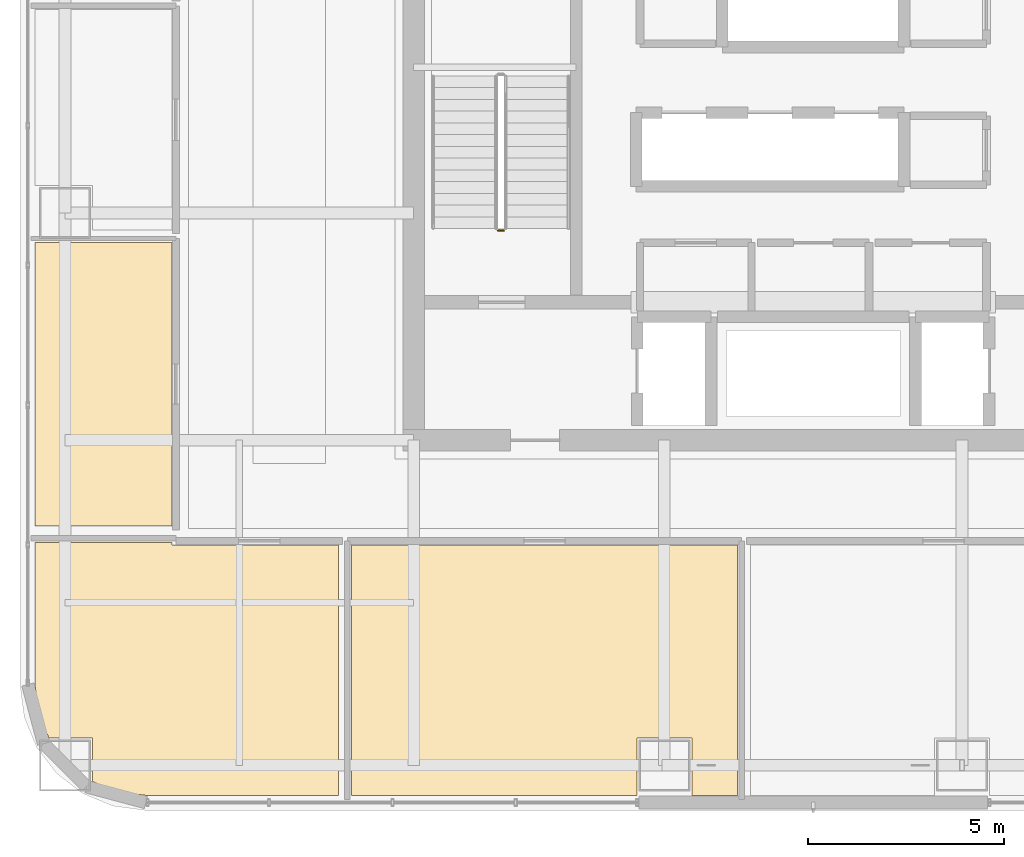
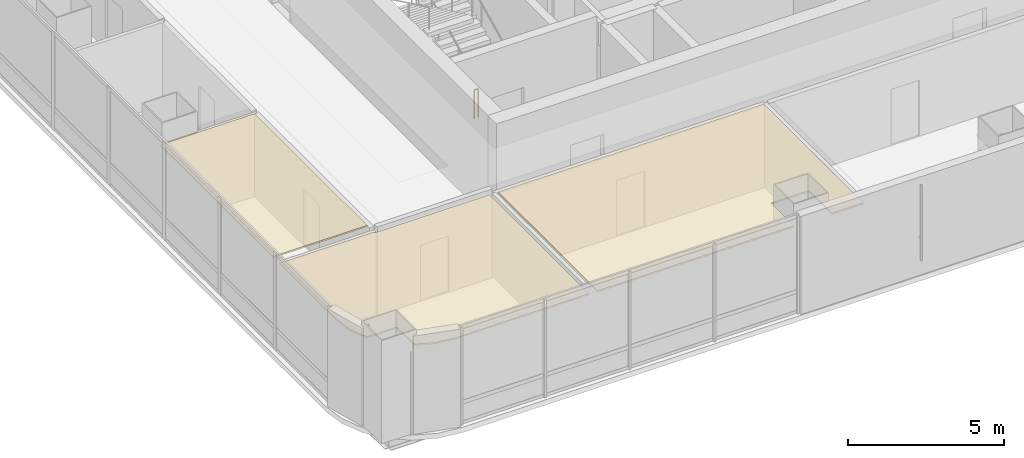
# One storey, part 36 of 44: 3 coverings, 1 railing.
"""IFC4 building model written with IfcOpenShell, lengths in metres."""

import ifcopenshell
import ifcopenshell.guid

model = None  # the IFC model being written
_history = None  # IfcOwnerHistory: only IFC2X3 demands one
_inside = {}  # id of a spatial element -> (the spatial element, [elements in it])
_under = {}  # id of a project, library or spatial element -> (it, [spatial elements below it])
_declared = {}  # id of a project -> (the project, [libraries it declares])
_typed = {}  # id of a type object -> (the type object, [elements of that type])
_made_of = {}  # id of a material, layer set ... -> (it, [elements and type objects made of it])


def new_model(schema):
    """Start an empty IFC model of exactly this schema.

    Asked for "IFC4X3", IfcOpenShell would pick the latest addendum, in which some entities
    have other attributes; the version numbers below select the first issue.
    IFC2X3 requires an IfcOwnerHistory on every rooted entity: one is made here for all.
    """
    global model, _history
    if schema == "IFC4X3":
        model = ifcopenshell.file(schema_version=(4, 3, 0, 0))
    else:
        model = ifcopenshell.file(schema=schema)
    _inside.clear()
    _under.clear()
    _declared.clear()
    _typed.clear()
    _made_of.clear()
    _history = None
    if model.schema == "IFC2X3":
        org = make("IfcOrganization", Name="unknown")
        user = make(
            "IfcPersonAndOrganization",
            ThePerson=make("IfcPerson", FamilyName="unknown"),
            TheOrganization=org,
        )
        app = make(
            "IfcApplication",
            ApplicationDeveloper=org,
            Version="unknown",
            ApplicationFullName="unknown",
            ApplicationIdentifier="unknown",
        )
        _history = make(
            "IfcOwnerHistory",
            OwningUser=user,
            OwningApplication=app,
            ChangeAction="ADDED",
            CreationDate=0,
        )
    return model


def make(cls, **values):
    """One entity of the class cls with the attributes given. An attribute that is None is left unset."""
    return model.create_entity(
        cls, **{name: value for name, value in values.items() if value is not None}
    )


def rooted(cls, **values):
    """An entity with a GlobalId (a new one), such as an element, a storey or a relation."""
    return make(cls, GlobalId=ifcopenshell.guid.new(), OwnerHistory=_history, **values)


def si_unit(unit_type, name, prefix=None):
    """IfcSIUnit, for example si_unit("LENGTHUNIT", "METRE", prefix="MILLI")."""
    return make("IfcSIUnit", UnitType=unit_type, Prefix=prefix, Name=name)


def assignment(units):
    """IfcUnitAssignment: the units of a project."""
    return None if units is None else make("IfcUnitAssignment", Units=units)


def point(xyz):
    """IfcCartesianPoint."""
    return None if xyz is None else make("IfcCartesianPoint", Coordinates=xyz)


def direction(xyz):
    """IfcDirection."""
    return None if xyz is None else make("IfcDirection", DirectionRatios=xyz)


def frame(location, z_axis=None, x_axis=None):
    """IfcAxis2Placement3D, a coordinate frame: its origin and axes. An axis left out is left unset."""
    return make(
        "IfcAxis2Placement3D",
        Location=point(location),
        Axis=direction(z_axis),
        RefDirection=direction(x_axis),
    )


def frame_2d(location, x_axis=None):
    """IfcAxis2Placement2D, a coordinate frame in the plane: its origin and x axis."""
    return make(
        "IfcAxis2Placement2D", Location=point(location), RefDirection=direction(x_axis)
    )


def origin():
    """The frame at (0, 0, 0) with its axes left unset."""
    return frame((0.0, 0.0, 0.0))


def origin_2d():
    """The frame at (0, 0) in the plane with its x axis left unset."""
    return frame_2d((0.0, 0.0))


def place(relative_to, where):
    """IfcLocalPlacement: puts the frame where relative to a parent placement (None: the world)."""
    return make(
        "IfcLocalPlacement", PlacementRelTo=relative_to, RelativePlacement=where
    )


def context(
    kind, dimensions, precision=None, world=None, true_north=None, identifier=None
):
    """IfcGeometricRepresentationContext, for example the 3D "Model" context."""
    return make(
        "IfcGeometricRepresentationContext",
        ContextIdentifier=identifier,
        ContextType=kind,
        CoordinateSpaceDimension=dimensions,
        Precision=precision,
        WorldCoordinateSystem=world,
        TrueNorth=true_north,
    )


def subcontext(parent, identifier, kind, view, scale=None):
    """IfcGeometricRepresentationSubContext, for example "Body" below "Model"."""
    return make(
        "IfcGeometricRepresentationSubContext",
        ContextIdentifier=identifier,
        ContextType=kind,
        ParentContext=parent,
        TargetScale=scale,
        TargetView=view,
    )


def project(units=None, contexts=None):
    """IfcProject with its units and contexts."""
    return rooted(
        "IfcProject",
        Name="project",
        RepresentationContexts=contexts,
        UnitsInContext=assignment(units),
    )


def spatial(cls, under=None, at=None, **own):
    """A site, building, storey or space (cls), placed at a placement, below another one or the project."""
    s = rooted(cls, ObjectPlacement=at, **own)
    if under is not None:
        _under.setdefault(under.id(), (under, []))[1].append(s)
    return s


def polyline(points):
    """IfcPolyline through the points."""
    return make("IfcPolyline", Points=[point(p) for p in points])


def profile(cls, at=None, kind="AREA", **sizes):
    """A parametric profile (cls). Its sizes go by their IFC names, for example OverallWidth=200.0."""
    return make(cls, ProfileType=kind, Position=at, **sizes)


def circle(**sizes):
    """IfcCircleProfileDef."""
    return profile("IfcCircleProfileDef", **sizes)


def outline(outer, holes=None, kind="AREA"):
    """IfcArbitraryClosedProfileDef: a profile drawn as a closed curve; with holes, ...WithVoids."""
    if holes is None:
        return make("IfcArbitraryClosedProfileDef", ProfileType=kind, OuterCurve=outer)
    return make(
        "IfcArbitraryProfileDefWithVoids",
        ProfileType=kind,
        OuterCurve=outer,
        InnerCurves=holes,
    )


def extrude(swept, where, along, depth):
    """IfcExtrudedAreaSolid: the profile swept, set in the frame where, extruded along a direction by depth."""
    return make(
        "IfcExtrudedAreaSolid",
        SweptArea=swept,
        Position=where,
        ExtrudedDirection=direction(along),
        Depth=depth,
    )


def shape(context_of_items, identifier, shape_type, items):
    """IfcShapeRepresentation: the items that make up one representation, for example the "Body"."""
    return make(
        "IfcShapeRepresentation",
        ContextOfItems=context_of_items,
        RepresentationIdentifier=identifier,
        RepresentationType=shape_type,
        Items=items,
    )


def material(Name=None, Category=None):
    """IfcMaterial."""
    return make("IfcMaterial", Name=Name, Category=Category)


def layer(
    of_material, thickness, ventilated=None, Name=None, Category=None, Priority=None
):
    """IfcMaterialLayer: one layer of a wall or slab, of a material (None: an air gap)."""
    return make(
        "IfcMaterialLayer",
        Material=of_material,
        LayerThickness=thickness,
        IsVentilated=ventilated,
        Name=Name,
        Category=Category,
        Priority=Priority,
    )


def layer_set(layers, Name=None):
    """IfcMaterialLayerSet."""
    return make("IfcMaterialLayerSet", MaterialLayers=layers, LayerSetName=Name)


def made_of(thing, what):
    """Note that an element or type object is made of a material, layer set ...; save() writes the relation."""
    if what is not None:
        _made_of.setdefault(what.id(), (what, []))[1].append(thing)
    return thing


def type_object(cls, material=None, **own):
    """A type object (cls), such as IfcWallType, which elements share."""
    return made_of(rooted(cls, **own), material)


def element(
    cls,
    number,
    at=None,
    inside=None,
    cuts=None,
    type_object=None,
    material=None,
    context=None,
    identifier="Body",
    shape_type=None,
    held_by="IfcProductDefinitionShape",
    body=None,
    shapes=None,
    **own,
):
    """One element of the class cls, such as IfcWall. Its Tag is "e" and its number.

    at: its placement. inside: the storey or other place that contains it. cuts: it is an
    opening in that element (IfcRelVoidsElement). A single representation is given by context,
    identifier, shape_type and body (its items); several are given by shapes. held_by: the class
    of the entity that holds the representations. save() writes the other relations.
    """
    e = rooted(cls, Tag="e%d" % number, ObjectPlacement=at, **own)
    if body is not None:
        shapes = [shape(context, identifier, shape_type, body)]
    if shapes is not None:
        e.Representation = make(held_by, Representations=shapes)
    if inside is not None:
        _inside.setdefault(inside.id(), (inside, []))[1].append(e)
    if cuts is not None:
        rooted(
            "IfcRelVoidsElement", RelatingBuildingElement=cuts, RelatedOpeningElement=e
        )
    if type_object is not None:
        _typed.setdefault(type_object.id(), (type_object, []))[1].append(e)
    return made_of(e, material)


def aggregate(whole, parts):
    """IfcRelAggregates: a whole, such as a stair, and the parts it consists of."""
    return rooted("IfcRelAggregates", RelatingObject=whole, RelatedObjects=parts)


def save(model, path):
    """Write the relations noted so far, then the file.

    IfcRelAggregates (storeys below a building ...), IfcRelContainedInSpatialStructure (elements
    in a storey), IfcRelDefinesByType, IfcRelAssociatesMaterial and IfcRelDeclares: one each for
    every whole, place, type object, material and project.
    """
    for whole, parts in _under.values():
        aggregate(whole, parts)
    for where, things in _inside.values():
        rooted(
            "IfcRelContainedInSpatialStructure",
            RelatedElements=things,
            RelatingStructure=where,
        )
    for kind, things in _typed.values():
        rooted("IfcRelDefinesByType", RelatedObjects=things, RelatingType=kind)
    for what, things in _made_of.values():
        rooted("IfcRelAssociatesMaterial", RelatedObjects=things, RelatingMaterial=what)
    for by, libraries in _declared.values():
        rooted("IfcRelDeclares", RelatingContext=by, RelatedDefinitions=libraries)
    model.write(path)


model = new_model("IFC4")

# Units and contexts
model_context = context("Model", 3, precision=1e-05, world=origin(), true_north=direction((0.0, 1.0)))
body_context = subcontext(model_context, "Body", "Model", "MODEL_VIEW")
ifc_project = project(units=[si_unit("LENGTHUNIT", "METRE"), si_unit("AREAUNIT", "SQUARE_METRE"), si_unit("VOLUMEUNIT", "CUBIC_METRE"), si_unit("PLANEANGLEUNIT", "RADIAN"), si_unit("MASSUNIT", "GRAM", prefix="KILO")], contexts=[model_context])

# Site, building, storey
site_placement = place(None, origin())
site = spatial("IfcSite", under=ifc_project, at=site_placement, CompositionType="ELEMENT")
building_placement = place(site_placement, origin())
building = spatial("IfcBuilding", under=site, at=building_placement, Name="Punatoya Terracotta Tower", CompositionType="ELEMENT")
storey_placement = place(building_placement, frame((0.0, 0.0, 267.60009765625)))
storey = spatial("IfcBuildingStorey", under=building, at=storey_placement, Name="L63", CompositionType="ELEMENT", Elevation=267.60009765625)

# Coverings
ifc_material_1 = material(Name="Acoustic Mineral Fibre Ceiling")
ifc_layer = layer(ifc_material_1, 0.06005859375)
ifc_layer_set = layer_set([ifc_layer], Name="Acoustic Mineral Fibre Ceiling")
covering_type = type_object("IfcCoveringType", Name="COV-CEIL-60", PredefinedType="CEILING", material=ifc_layer_set)
covering_1_placement = place(storey_placement, frame((0.0, 0.0, 3.239990234375)))
element("IfcCovering", 1, at=covering_1_placement, inside=storey, type_object=covering_type, Name="L63 Open-Plan Computational Simulation Laboratory Acoustic Ceiling", PredefinedType="CEILING", context=body_context, shape_type="SweptSolid", body=[
    extrude(outline(polyline([(-4.5, -18.27001953125), (-4.5, -16.800048828125), (-3.10009765625, -16.800048828125), (-3.10009765625, -18.27001953125), (-1.927001953125, -18.27001953125), (-1.927001953125, -11.8701171875), (-11.79296875, -11.8701171875), (-11.79296875, -18.27001953125), (-4.5, -18.27001953125)])), origin(), (0.0, 0.0, 1.0), 0.059814453125),
])
covering_2_placement = place(storey_placement, frame((0.0, 0.0, 3.239990234375)))
element("IfcCovering", 2, at=covering_2_placement, inside=storey, type_object=covering_type, Name="L63 Open-Plan Materials Testing Laboratory Acoustic Ceiling", PredefinedType="CEILING", context=body_context, shape_type="SweptSolid", body=[
    extrude(outline(polyline([(-17.025146484375, -18.27001953125), (-12.113037109375, -18.27001953125), (-12.113037109375, -11.8701171875), (-16.3701171875, -11.8701171875), (-16.3701171875, -11.81005859375), (-19.8701171875, -11.81005859375), (-19.8701171875, -15.425048828125), (-19.770751953125, -16.178955078125), (-19.513427734375, -16.800048828125), (-18.39990234375, -16.800048828125), (-18.39990234375, -17.91357421875), (-17.779052734375, -18.1708984375), (-17.025146484375, -18.27001953125)])), origin(), (0.0, 0.0, 1.0), 0.059814453125),
])
covering_3_placement = place(storey_placement, frame((0.0, 0.0, 3.239990234375)))
element("IfcCovering", 3, at=covering_3_placement, inside=storey, type_object=covering_type, Name="L63 Technical Seminar Room Acoustic Ceiling", PredefinedType="CEILING", context=body_context, shape_type="SweptSolid", body=[
    extrude(outline(polyline([(-19.8701171875, -4.14990234375), (-19.8701171875, -11.389892578125), (-16.3701171875, -11.389892578125), (-16.3701171875, -4.14990234375), (-19.8701171875, -4.14990234375)])), origin(), (0.0, 0.0, 1.0), 0.059814453125),
])

# Railing
ifc_material_2 = material(Name="Steel S355", Category="steel")
railing_type = type_object("IfcRailingType", Name="RLG-GRD-1150", PredefinedType="GUARDRAIL", material=ifc_material_2)
railing_placement = place(storey_placement, frame((-7.89990234375, -3.85009765625, 0.0)))
element("IfcRailing", 4, at=railing_placement, inside=storey, type_object=railing_type, Name="L63 ST-1 stair guard 4", PredefinedType="GUARDRAIL", context=body_context, shape_type="SweptSolid", body=[
    extrude(circle(Radius=0.02392578125, at=origin_2d()), frame((0.0, 0.0, 1.1259765625), z_axis=(-1.0, 0.0, 0.0), x_axis=(0.0, -1.0, 0.0)), (0.0, 0.0, 1.0), 0.150146484375),
    extrude(circle(Radius=0.02099609375, at=origin_2d()), origin(), (0.0, 0.0, 1.0), 1.101806640625),
    extrude(circle(Radius=0.02099609375, at=origin_2d()), frame((-0.150146484375, 0.0, 0.0)), (0.0, 0.0, 1.0), 1.101806640625),
])

save(model, "model.ifc")
